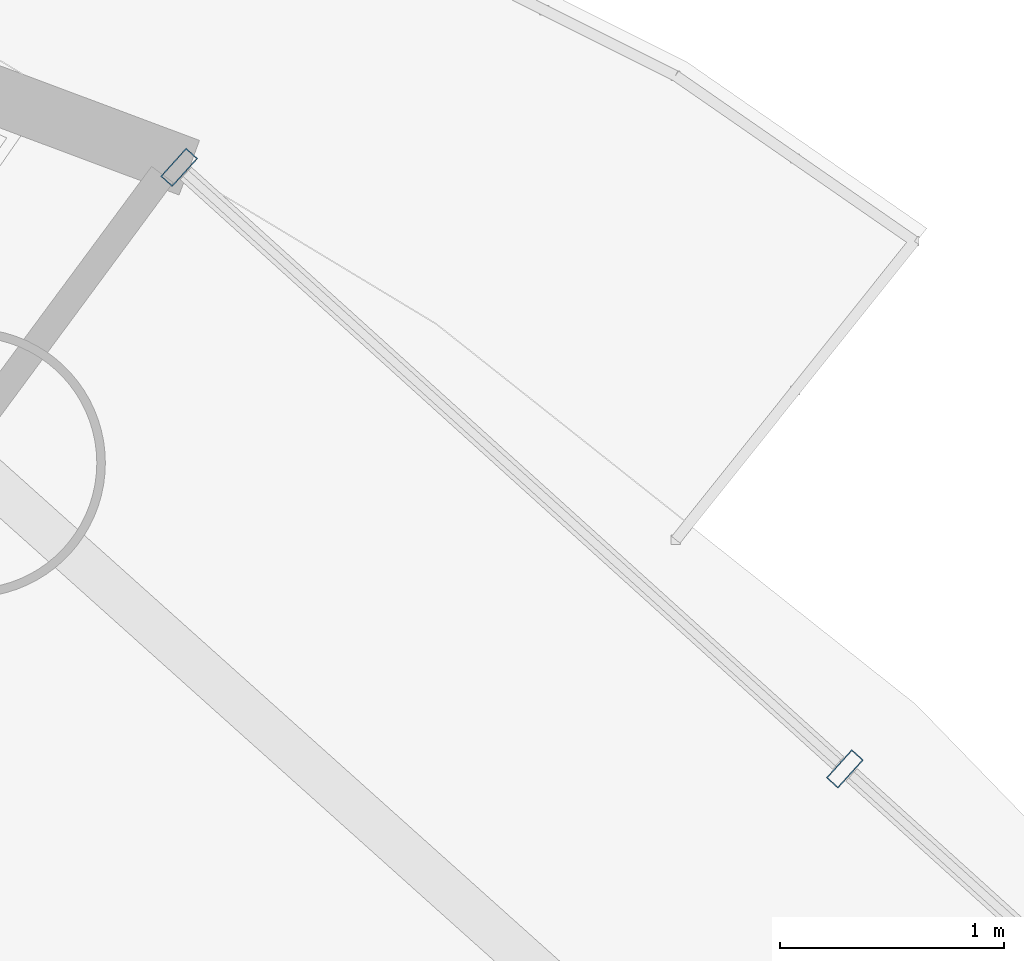
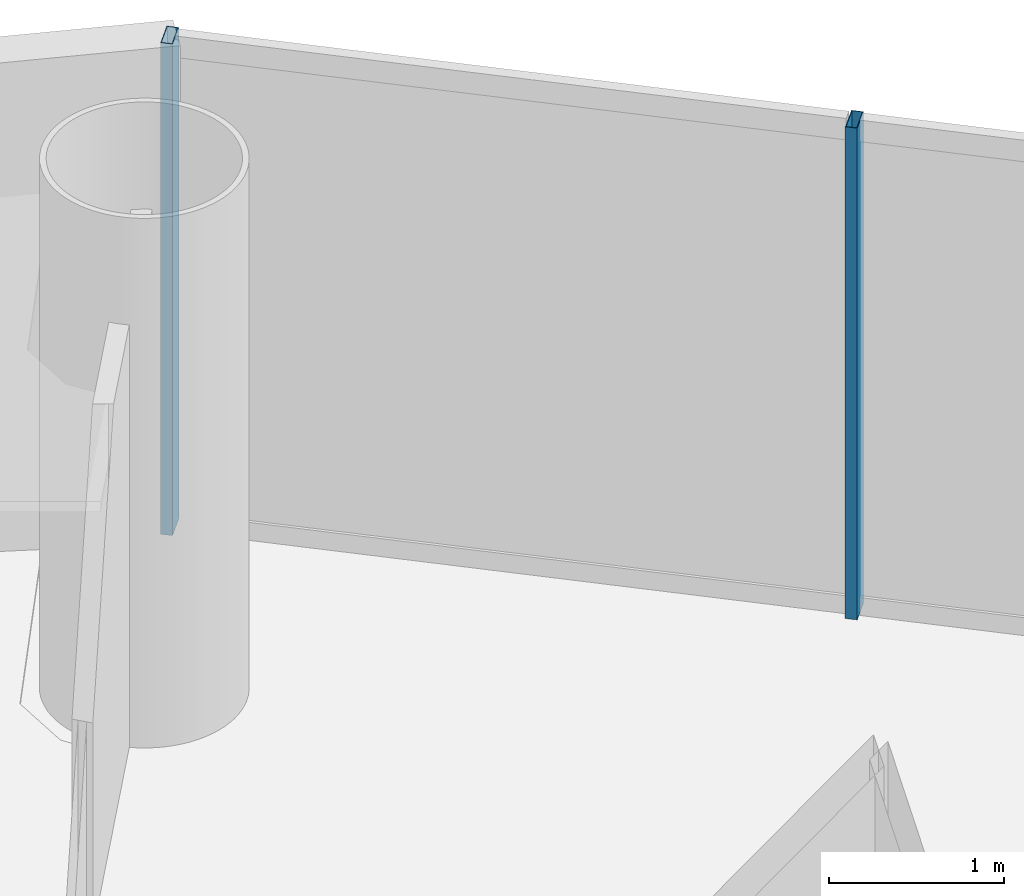
# One storey, part 18 of 26: 2 members, 1 element without a shape of its own.
"""IFC4 building model written with IfcOpenShell, lengths in metres."""

from ifc_helpers import new_model, si_unit, direction, frame, origin, origin_2d, place, context, subcontext, project, spatial, hollow_rectangle, extrude, source, transform, mapped, material, material_profile, profile_set, type_object, element, aggregate, save


model = new_model("IFC4")

# Units and contexts
model_context = context("Model", 3, precision=1e-05, world=origin(), true_north=direction((-0.2419218956, 0.970295726276)))
body_context = subcontext(model_context, "Body", "Model", "MODEL_VIEW")
ifc_project = project(units=[si_unit("LENGTHUNIT", "METRE"), si_unit("AREAUNIT", "SQUARE_METRE"), si_unit("VOLUMEUNIT", "CUBIC_METRE"), si_unit("PLANEANGLEUNIT", "RADIAN"), si_unit("MASSUNIT", "GRAM", prefix="KILO")], contexts=[model_context])

# Site, building, storey
site_placement = place(None, origin())
site = spatial("IfcSite", under=ifc_project, at=site_placement, CompositionType="ELEMENT")
building_placement = place(site_placement, origin())
building = spatial("IfcBuilding", under=site, at=building_placement, Name="Cobrevalo Terracotta Tower", CompositionType="ELEMENT")
storey_placement = place(building_placement, frame((0.0, 0.0, 202.300048828125)))
storey = spatial("IfcBuildingStorey", under=building, at=storey_placement, Name="L53", CompositionType="ELEMENT", Elevation=202.300048828125)

# Curtain wall, members
ifc_material = material(Name="Anodized aluminium", Category="aluminium")
curtain_wall_type = type_object("IfcCurtainWallType", Name="Mid-tower high-wind unitised curtain wall CW-U2", PredefinedType="NOTDEFINED", material=ifc_material)
curtain_wall_placement = place(storey_placement, origin())
curtain_wall = element("IfcCurtainWall", 1, at=curtain_wall_placement, inside=storey, type_object=curtain_wall_type, Name="L53 curtain wall CW-L53-S02", PredefinedType="NOTDEFINED")
ifc_material_profile = material_profile(ifc_material, hollow_rectangle(XDim=0.070068359375, YDim=0.169921875, WallThickness=0.00439453125, at=origin_2d()), Name="CWM 70x170")
ifc_profile_set = profile_set([ifc_material_profile], Name="Anodized aluminium")
member_type = type_object("IfcMemberType", Name="Upper tower unitised mullion 70x170", PredefinedType="MULLION", material=ifc_profile_set)
shared_shape = source(origin(), body_context, "Body", "SweptSolid", [
    extrude(hollow_rectangle(XDim=0.070068359375, YDim=0.169921875, WallThickness=0.00439453125, at=origin_2d()), origin(), (0.0, 0.0, 1.0), 3.43505859375),
])
member_1_placement = place(storey_placement, frame((53.097900390625, 40.441650390625, 0.0), z_axis=(0.0, 0.0, 1.0), x_axis=(-0.741987542015, 0.670413668935, 0.0)))
member_1 = element("IfcMember", 2, at=member_1_placement, type_object=member_type, Name="CW-L53-S02 vertical mullion 02", PredefinedType="MULLION", context=body_context, shape_type="MappedRepresentation", body=[
    mapped(shared_shape, transform((0.0, 0.0, 0.0), scale=1.0)),
])
member_2_placement = place(storey_placement, frame((50.12451171875, 43.128173828125, 0.0), z_axis=(0.0, 0.0, 1.0), x_axis=(-0.741987542015, 0.670413668935, 0.0)))
member_2 = element("IfcMember", 3, at=member_2_placement, type_object=member_type, Name="CW-L53-S02 vertical mullion 03", PredefinedType="MULLION", context=body_context, shape_type="MappedRepresentation", body=[
    mapped(shared_shape, transform((0.0, 0.0, 0.0), scale=1.0)),
])
aggregate(curtain_wall, [member_1, member_2])

save(model, "model.ifc")
